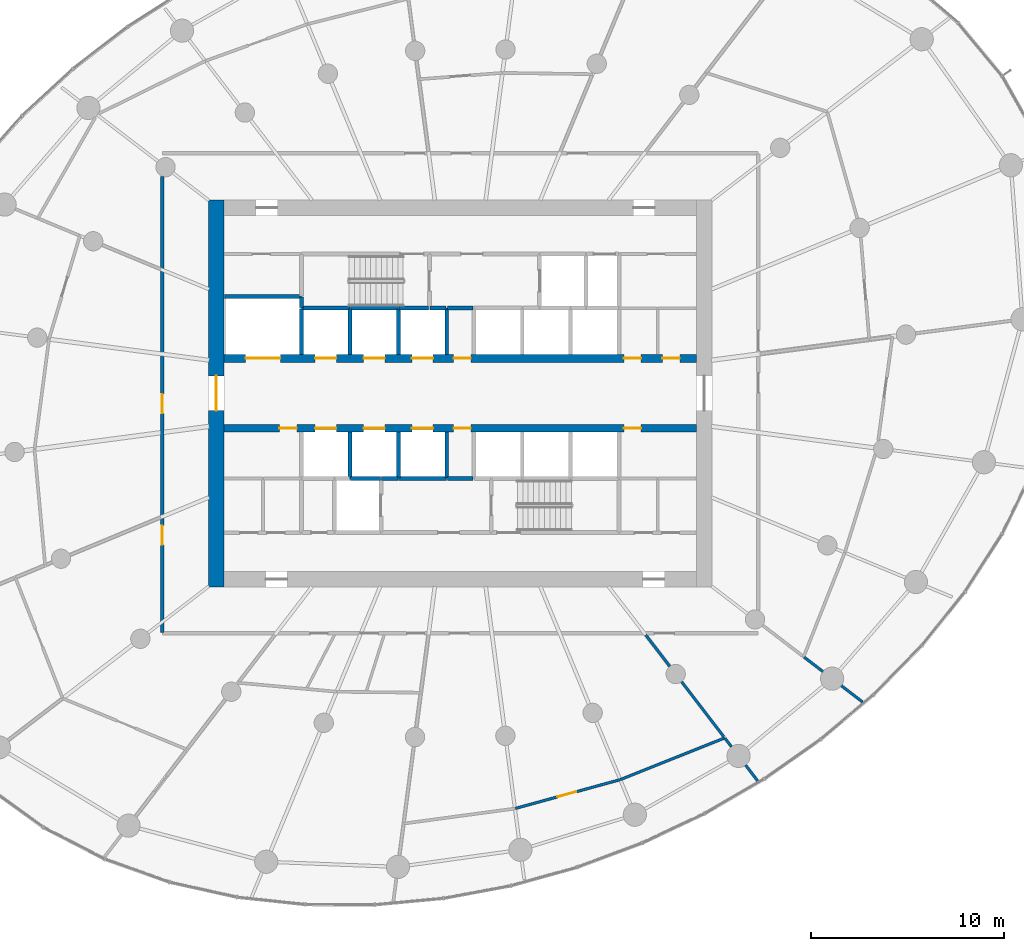
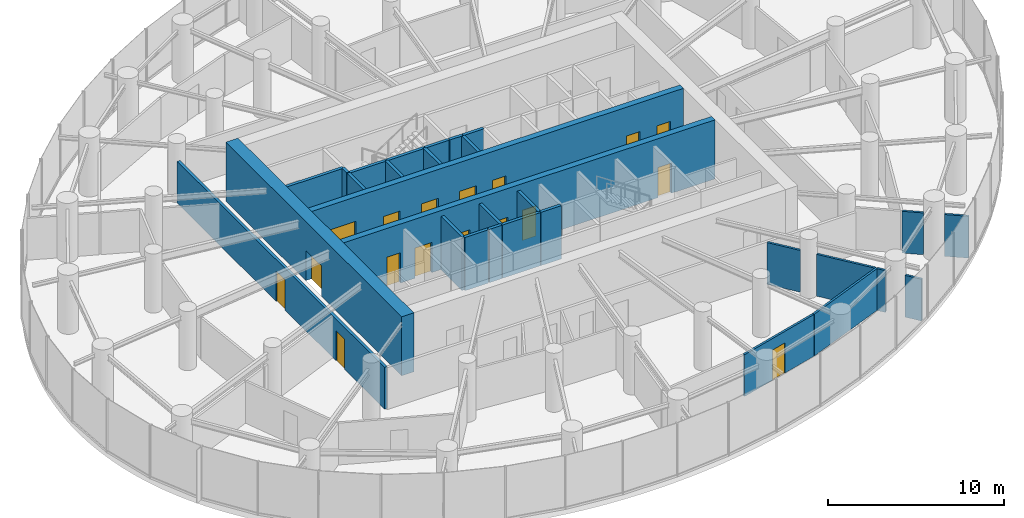
# One storey, part 11 of 17: 30 walls, 17 doors, 17 openings.
"""IFC4 building model written with IfcOpenShell, lengths in metres."""

from ifc_helpers import new_model, si_unit, direction, frame, frame_2d, origin, place, context, subcontext, project, spatial, rectangle, extrude, source, transform, mapped, material, layer, layer_set, type_object, element, fill, save


model = new_model("IFC4")

# Units and contexts
model_context = context("Model", 3, precision=1e-05, world=origin(), true_north=direction((0.0, 1.0)))
body_context = subcontext(model_context, "Body", "Model", "MODEL_VIEW")
ifc_project = project(units=[si_unit("LENGTHUNIT", "METRE"), si_unit("AREAUNIT", "SQUARE_METRE"), si_unit("VOLUMEUNIT", "CUBIC_METRE"), si_unit("PLANEANGLEUNIT", "RADIAN"), si_unit("MASSUNIT", "GRAM", prefix="KILO")], contexts=[model_context])

# Site, building, storey
site_placement = place(None, origin())
site = spatial("IfcSite", under=ifc_project, at=site_placement, CompositionType="ELEMENT")
building_placement = place(site_placement, origin())
building = spatial("IfcBuilding", under=site, at=building_placement, Name="Spindrift Exchange Tower", CompositionType="ELEMENT")
storey_placement = place(building_placement, frame((0.0, 0.0, 92.10009765625)))
storey = spatial("IfcBuildingStorey", under=building, at=storey_placement, Name="L21", CompositionType="ELEMENT", Elevation=92.10009765625)

# Wall, opening, door
ifc_material_1 = material(Name="Concrete 65 MPa", Category="concrete")
ifc_layer_1 = layer(ifc_material_1, 0.800048828125)
ifc_layer_set_1 = layer_set([ifc_layer_1], Name="RC Core Wall 800 Concrete 65 MPa")
wall_type_1 = type_object("IfcWallType", Name="RC Core Wall 800 Concrete 65 MPa", PredefinedType="SHEAR", material=ifc_layer_set_1)
wall_1_placement = place(storey_placement, frame((39.39990234375, 58.0, 0.0), z_axis=(0.0, 0.0, 1.0), x_axis=(0.0, -1.0, 0.0)))
wall_1 = element("IfcWall", 1, at=wall_1_placement, inside=storey, type_object=wall_type_1, Name="Core wall W L21", PredefinedType="SHEAR", context=body_context, shape_type="SweptSolid", body=[
    extrude(rectangle(XDim=20.0, YDim=0.800048828125, at=frame_2d((10.0, 0.0))), origin(), (0.0, 0.0, 1.0), 4.099853515625),
])
opening_1_placement = place(wall_1_placement, frame((9.10009765625, 0.0, 0.0)))
opening_1 = element("IfcOpeningElement", 2, at=opening_1_placement, cuts=wall_1, Name="Opening L21-D1", PredefinedType="OPENING", context=body_context, shape_type="SweptSolid", body=[
    extrude(rectangle(XDim=1.800048828125, YDim=2.10009765625, at=frame_2d((0.89990234375, 1.050048828125))), frame((0.0, 0.409912109375, 0.0), z_axis=(0.0, -1.0, 0.0), x_axis=(1.0, 0.0, 0.0)), (0.0, 0.0, 1.0), 0.820068359375),
])
ifc_material_2 = material(Name="Timber-core fire door", Category="wood")
door_type_1 = type_object("IfcDoorType", Name="DR-LOBBY-1800", OperationType="NOTDEFINED", PredefinedType="DOOR", material=ifc_material_2)
shared_shape_1 = source(origin(), body_context, "Body", "SweptSolid", [
    extrude(rectangle(XDim=1.800048828125, YDim=2.10009765625, at=frame_2d((0.89990234375, 1.050048828125))), frame((0.0, 0.02490234375, 0.0), z_axis=(0.0, -1.0, 0.0), x_axis=(1.0, 0.0, 0.0)), (0.0, 0.0, 1.0), 0.050048828125),
])
door_1_placement = place(opening_1_placement, origin())
door_1 = element("IfcDoor", 3, at=door_1_placement, inside=storey, type_object=door_type_1, Name="L21 Lobby door 1", OperationType="SINGLE_SWING_RIGHT", OverallHeight=2.10009765625, OverallWidth=1.800048828125, PredefinedType="DOOR", context=body_context, shape_type="MappedRepresentation", body=[
    mapped(shared_shape_1, transform((0.0, 0.0, 0.0), scale=1.0)),
])
fill(opening_1, door_1)

# Wall, openings, doors
ifc_layer_2 = layer(ifc_material_1, 0.39990234375)
ifc_layer_set_2 = layer_set([ifc_layer_2], Name="RC Spine Wall 400 Concrete 65 MPa")
wall_type_2 = type_object("IfcWallType", Name="RC Spine Wall 400 Concrete 65 MPa", PredefinedType="SHEAR", material=ifc_layer_set_2)
wall_2_placement = place(storey_placement, frame((39.800048828125, 49.800048828125, 0.0), z_axis=(0.0, 0.0, 1.0), x_axis=(1.0, 0.0, 0.0)))
wall_2 = element("IfcWall", 4, at=wall_2_placement, inside=storey, type_object=wall_type_2, Name="Core spine wall N L21", PredefinedType="SHEAR", context=body_context, shape_type="SweptSolid", body=[
    extrude(rectangle(XDim=24.39990234375, YDim=0.39990234375, at=frame_2d((12.199951171875, 0.0))), origin(), (0.0, 0.0, 1.0), 4.099853515625),
])
opening_2_placement = place(wall_2_placement, frame((4.699951171875, 0.0, 0.0)))
opening_2 = element("IfcOpeningElement", 5, at=opening_2_placement, cuts=wall_2, Name="Opening L21-D3", PredefinedType="OPENING", context=body_context, shape_type="SweptSolid", body=[
    extrude(rectangle(XDim=1.10009765625, YDim=2.10009765625, at=frame_2d((0.550048828125, 1.050048828125))), frame((0.0, 0.2099609375, 0.0), z_axis=(0.0, -1.0, 0.0), x_axis=(1.0, 0.0, 0.0)), (0.0, 0.0, 1.0), 0.419921875),
])
opening_3_placement = place(wall_2_placement, frame((7.199951171875, 0.0, 0.0)))
opening_3 = element("IfcOpeningElement", 6, at=opening_3_placement, cuts=wall_2, Name="Opening L21-D4", PredefinedType="OPENING", context=body_context, shape_type="SweptSolid", body=[
    extrude(rectangle(XDim=1.10009765625, YDim=2.10009765625, at=frame_2d((0.550048828125, 1.050048828125))), frame((0.0, 0.2099609375, 0.0), z_axis=(0.0, -1.0, 0.0), x_axis=(1.0, 0.0, 0.0)), (0.0, 0.0, 1.0), 0.419921875),
])
opening_4_placement = place(wall_2_placement, frame((9.699951171875, 0.0, 0.0)))
opening_4 = element("IfcOpeningElement", 7, at=opening_4_placement, cuts=wall_2, Name="Opening L21-D5", PredefinedType="OPENING", context=body_context, shape_type="SweptSolid", body=[
    extrude(rectangle(XDim=1.10009765625, YDim=2.10009765625, at=frame_2d((0.550048828125, 1.050048828125))), frame((0.0, 0.2099609375, 0.0), z_axis=(0.0, -1.0, 0.0), x_axis=(1.0, 0.0, 0.0)), (0.0, 0.0, 1.0), 0.419921875),
])
opening_5_placement = place(wall_2_placement, frame((1.10009765625, 0.0, 0.0)))
opening_5 = element("IfcOpeningElement", 8, at=opening_5_placement, cuts=wall_2, Name="Opening L21-D12", PredefinedType="OPENING", context=body_context, shape_type="SweptSolid", body=[
    extrude(rectangle(XDim=1.800048828125, YDim=2.39990234375, at=frame_2d((0.89990234375, 1.199951171875))), frame((0.0, 0.2099609375, 0.0), z_axis=(0.0, -1.0, 0.0), x_axis=(1.0, 0.0, 0.0)), (0.0, 0.0, 1.0), 0.419921875),
])
opening_6_placement = place(wall_2_placement, frame((20.64990234375, 0.0, 0.0)))
opening_6 = element("IfcOpeningElement", 9, at=opening_6_placement, cuts=wall_2, Name="Opening L21-D49", PredefinedType="OPENING", context=body_context, shape_type="SweptSolid", body=[
    extrude(rectangle(XDim=0.89990234375, YDim=2.10009765625, at=frame_2d((0.449951171875, 1.050048828125))), frame((0.0, 0.2099609375, 0.0), z_axis=(0.0, -1.0, 0.0), x_axis=(1.0, 0.0, 0.0)), (0.0, 0.0, 1.0), 0.419921875),
])
opening_7_placement = place(wall_2_placement, frame((22.64990234375, 0.0, 0.0)))
opening_7 = element("IfcOpeningElement", 10, at=opening_7_placement, cuts=wall_2, Name="Opening L21-D50", PredefinedType="OPENING", context=body_context, shape_type="SweptSolid", body=[
    extrude(rectangle(XDim=0.89990234375, YDim=2.10009765625, at=frame_2d((0.449951171875, 1.050048828125))), frame((0.0, 0.2099609375, 0.0), z_axis=(0.0, -1.0, 0.0), x_axis=(1.0, 0.0, 0.0)), (0.0, 0.0, 1.0), 0.419921875),
])
opening_8_placement = place(wall_2_placement, frame((11.85009765625, 0.0, 0.0)))
opening_8 = element("IfcOpeningElement", 11, at=opening_8_placement, cuts=wall_2, Name="Opening L21-D55", PredefinedType="OPENING", context=body_context, shape_type="SweptSolid", body=[
    extrude(rectangle(XDim=0.89990234375, YDim=2.10009765625, at=frame_2d((0.449951171875, 1.050048828125))), frame((0.0, 0.2099609375, 0.0), z_axis=(0.0, -1.0, 0.0), x_axis=(1.0, 0.0, 0.0)), (0.0, 0.0, 1.0), 0.419921875),
])
ifc_material_3 = material(Name="Stainless steel landing door", Category="steel")
door_type_2 = type_object("IfcDoorType", Name="DR-LANDING-1100-SL", OperationType="DOUBLE_DOOR_SLIDING", PredefinedType="USERDEFINED", material=ifc_material_3)
shared_shape_2 = source(origin(), body_context, "Body", "SweptSolid", [
    extrude(rectangle(XDim=1.10009765625, YDim=2.10009765625, at=frame_2d((0.550048828125, 1.050048828125))), frame((0.0, 0.02490234375, 0.0), z_axis=(0.0, -1.0, 0.0), x_axis=(1.0, 0.0, 0.0)), (0.0, 0.0, 1.0), 0.050048828125),
])
door_2_placement = place(opening_2_placement, origin())
door_2 = element("IfcDoor", 12, at=door_2_placement, inside=storey, type_object=door_type_2, Name="L21 Lift landing door 3", ObjectType="LANDING DOOR", OperationType="DOUBLE_DOOR_SLIDING", OverallHeight=2.10009765625, OverallWidth=1.10009765625, PredefinedType="USERDEFINED", context=body_context, shape_type="MappedRepresentation", body=[
    mapped(shared_shape_2, transform((0.0, 0.0, 0.0), scale=1.0)),
])
fill(opening_2, door_2)
door_3_placement = place(opening_3_placement, origin())
door_3 = element("IfcDoor", 13, at=door_3_placement, inside=storey, type_object=door_type_2, Name="L21 Lift landing door 4", ObjectType="LANDING DOOR", OperationType="DOUBLE_DOOR_SLIDING", OverallHeight=2.10009765625, OverallWidth=1.10009765625, PredefinedType="USERDEFINED", context=body_context, shape_type="MappedRepresentation", body=[
    mapped(shared_shape_2, transform((0.0, 0.0, 0.0), scale=1.0)),
])
fill(opening_3, door_3)
door_4_placement = place(opening_4_placement, origin())
door_4 = element("IfcDoor", 14, at=door_4_placement, inside=storey, type_object=door_type_2, Name="L21 Lift landing door 5", ObjectType="LANDING DOOR", OperationType="DOUBLE_DOOR_SLIDING", OverallHeight=2.10009765625, OverallWidth=1.10009765625, PredefinedType="USERDEFINED", context=body_context, shape_type="MappedRepresentation", body=[
    mapped(shared_shape_2, transform((0.0, 0.0, 0.0), scale=1.0)),
])
fill(opening_4, door_4)
door_type_3 = type_object("IfcDoorType", Name="DR-LANDING-1800-SL", OperationType="DOUBLE_DOOR_SLIDING", PredefinedType="USERDEFINED", material=ifc_material_3)
shared_shape_3 = source(origin(), body_context, "Body", "SweptSolid", [
    extrude(rectangle(XDim=1.800048828125, YDim=2.39990234375, at=frame_2d((0.89990234375, 1.199951171875))), frame((0.0, 0.02490234375, 0.0), z_axis=(0.0, -1.0, 0.0), x_axis=(1.0, 0.0, 0.0)), (0.0, 0.0, 1.0), 0.050048828125),
])
door_5_placement = place(opening_5_placement, origin())
door_5 = element("IfcDoor", 15, at=door_5_placement, inside=storey, type_object=door_type_3, Name="L21 Lift landing door 12", ObjectType="LANDING DOOR", OperationType="DOUBLE_DOOR_SLIDING", OverallHeight=2.39990234375, OverallWidth=1.800048828125, PredefinedType="USERDEFINED", context=body_context, shape_type="MappedRepresentation", body=[
    mapped(shared_shape_3, transform((0.0, 0.0, 0.0), scale=1.0)),
])
fill(opening_5, door_5)
ifc_material_4 = material(Name="Steel access door", Category="steel")
door_type_4 = type_object("IfcDoorType", Name="DR-RISER-900", OperationType="NOTDEFINED", PredefinedType="DOOR", material=ifc_material_4)
shared_shape_4 = source(origin(), body_context, "Body", "SweptSolid", [
    extrude(rectangle(XDim=0.89990234375, YDim=2.10009765625, at=frame_2d((0.449951171875, 1.050048828125))), frame((0.0, 0.02490234375, 0.0), z_axis=(0.0, -1.0, 0.0), x_axis=(1.0, 0.0, 0.0)), (0.0, 0.0, 1.0), 0.050048828125),
])
door_6_placement = place(opening_6_placement, origin())
door_6 = element("IfcDoor", 16, at=door_6_placement, inside=storey, type_object=door_type_4, Name="L21 Riser door 49", OperationType="SINGLE_SWING_RIGHT", OverallHeight=2.10009765625, OverallWidth=0.89990234375, PredefinedType="DOOR", context=body_context, shape_type="MappedRepresentation", body=[
    mapped(shared_shape_4, transform((0.0, 0.0, 0.0), scale=1.0)),
])
fill(opening_6, door_6)
door_7_placement = place(opening_7_placement, origin())
door_7 = element("IfcDoor", 17, at=door_7_placement, inside=storey, type_object=door_type_4, Name="L21 Riser door 50", OperationType="SINGLE_SWING_LEFT", OverallHeight=2.10009765625, OverallWidth=0.89990234375, PredefinedType="DOOR", context=body_context, shape_type="MappedRepresentation", body=[
    mapped(shared_shape_4, transform((0.0, 0.0, 0.0), scale=1.0)),
])
fill(opening_7, door_7)
door_8_placement = place(opening_8_placement, origin())
door_8 = element("IfcDoor", 18, at=door_8_placement, inside=storey, type_object=door_type_4, Name="L21 Riser door 55", OperationType="SINGLE_SWING_RIGHT", OverallHeight=2.10009765625, OverallWidth=0.89990234375, PredefinedType="DOOR", context=body_context, shape_type="MappedRepresentation", body=[
    mapped(shared_shape_4, transform((0.0, 0.0, 0.0), scale=1.0)),
])
fill(opening_8, door_8)

wall_3_placement = place(storey_placement, frame((39.800048828125, 46.199951171875, 0.0), z_axis=(0.0, 0.0, 1.0), x_axis=(1.0, 0.0, 0.0)))
wall_3 = element("IfcWall", 19, at=wall_3_placement, inside=storey, type_object=wall_type_2, Name="Core spine wall S L21", PredefinedType="SHEAR", context=body_context, shape_type="SweptSolid", body=[
    extrude(rectangle(XDim=24.39990234375, YDim=0.39990234375, at=frame_2d((12.199951171875, 0.0))), origin(), (0.0, 0.0, 1.0), 4.099853515625),
])
opening_9_placement = place(wall_3_placement, frame((4.699951171875, 0.0, 0.0)))
opening_9 = element("IfcOpeningElement", 20, at=opening_9_placement, cuts=wall_3, Name="Opening L21-D6", PredefinedType="OPENING", context=body_context, shape_type="SweptSolid", body=[
    extrude(rectangle(XDim=1.10009765625, YDim=2.10009765625, at=frame_2d((0.550048828125, 1.050048828125))), frame((0.0, 0.2099609375, 0.0), z_axis=(0.0, -1.0, 0.0), x_axis=(1.0, 0.0, 0.0)), (0.0, 0.0, 1.0), 0.419921875),
])
opening_10_placement = place(wall_3_placement, frame((7.199951171875, 0.0, 0.0)))
opening_10 = element("IfcOpeningElement", 21, at=opening_10_placement, cuts=wall_3, Name="Opening L21-D7", PredefinedType="OPENING", context=body_context, shape_type="SweptSolid", body=[
    extrude(rectangle(XDim=1.10009765625, YDim=2.10009765625, at=frame_2d((0.550048828125, 1.050048828125))), frame((0.0, 0.2099609375, 0.0), z_axis=(0.0, -1.0, 0.0), x_axis=(1.0, 0.0, 0.0)), (0.0, 0.0, 1.0), 0.419921875),
])
opening_11_placement = place(wall_3_placement, frame((9.699951171875, 0.0, 0.0)))
opening_11 = element("IfcOpeningElement", 22, at=opening_11_placement, cuts=wall_3, Name="Opening L21-D8", PredefinedType="OPENING", context=body_context, shape_type="SweptSolid", body=[
    extrude(rectangle(XDim=1.10009765625, YDim=2.10009765625, at=frame_2d((0.550048828125, 1.050048828125))), frame((0.0, 0.2099609375, 0.0), z_axis=(0.0, -1.0, 0.0), x_axis=(1.0, 0.0, 0.0)), (0.0, 0.0, 1.0), 0.419921875),
])
opening_12_placement = place(wall_3_placement, frame((20.64990234375, 0.0, 0.0)))
opening_12 = element("IfcOpeningElement", 23, at=opening_12_placement, cuts=wall_3, Name="Opening L21-D48", PredefinedType="OPENING", context=body_context, shape_type="SweptSolid", body=[
    extrude(rectangle(XDim=0.89990234375, YDim=2.10009765625, at=frame_2d((0.449951171875, 1.050048828125))), frame((0.0, 0.2099609375, 0.0), z_axis=(0.0, -1.0, 0.0), x_axis=(1.0, 0.0, 0.0)), (0.0, 0.0, 1.0), 0.419921875),
])
opening_13_placement = place(wall_3_placement, frame((2.85009765625, 0.0, 0.0)))
opening_13 = element("IfcOpeningElement", 24, at=opening_13_placement, cuts=wall_3, Name="Opening L21-D54", PredefinedType="OPENING", context=body_context, shape_type="SweptSolid", body=[
    extrude(rectangle(XDim=0.89990234375, YDim=2.10009765625, at=frame_2d((0.449951171875, 1.050048828125))), frame((0.0, 0.2099609375, 0.0), z_axis=(0.0, -1.0, 0.0), x_axis=(1.0, 0.0, 0.0)), (0.0, 0.0, 1.0), 0.419921875),
])
opening_14_placement = place(wall_3_placement, frame((11.85009765625, 0.0, 0.0)))
opening_14 = element("IfcOpeningElement", 25, at=opening_14_placement, cuts=wall_3, Name="Opening L21-D56", PredefinedType="OPENING", context=body_context, shape_type="SweptSolid", body=[
    extrude(rectangle(XDim=0.89990234375, YDim=2.10009765625, at=frame_2d((0.449951171875, 1.050048828125))), frame((0.0, 0.2099609375, 0.0), z_axis=(0.0, -1.0, 0.0), x_axis=(1.0, 0.0, 0.0)), (0.0, 0.0, 1.0), 0.419921875),
])
door_9_placement = place(opening_9_placement, origin())
door_9 = element("IfcDoor", 26, at=door_9_placement, inside=storey, type_object=door_type_2, Name="L21 Lift landing door 6", ObjectType="LANDING DOOR", OperationType="DOUBLE_DOOR_SLIDING", OverallHeight=2.10009765625, OverallWidth=1.10009765625, PredefinedType="USERDEFINED", context=body_context, shape_type="MappedRepresentation", body=[
    mapped(shared_shape_2, transform((0.0, 0.0, 0.0), scale=1.0)),
])
fill(opening_9, door_9)
door_10_placement = place(opening_10_placement, origin())
door_10 = element("IfcDoor", 27, at=door_10_placement, inside=storey, type_object=door_type_2, Name="L21 Lift landing door 7", ObjectType="LANDING DOOR", OperationType="DOUBLE_DOOR_SLIDING", OverallHeight=2.10009765625, OverallWidth=1.10009765625, PredefinedType="USERDEFINED", context=body_context, shape_type="MappedRepresentation", body=[
    mapped(shared_shape_2, transform((0.0, 0.0, 0.0), scale=1.0)),
])
fill(opening_10, door_10)
door_11_placement = place(opening_11_placement, origin())
door_11 = element("IfcDoor", 28, at=door_11_placement, inside=storey, type_object=door_type_2, Name="L21 Lift landing door 8", ObjectType="LANDING DOOR", OperationType="DOUBLE_DOOR_SLIDING", OverallHeight=2.10009765625, OverallWidth=1.10009765625, PredefinedType="USERDEFINED", context=body_context, shape_type="MappedRepresentation", body=[
    mapped(shared_shape_2, transform((0.0, 0.0, 0.0), scale=1.0)),
])
fill(opening_11, door_11)
door_12_placement = place(opening_12_placement, origin())
door_12 = element("IfcDoor", 29, at=door_12_placement, inside=storey, type_object=door_type_4, Name="L21 Riser door 48", OperationType="SINGLE_SWING_LEFT", OverallHeight=2.10009765625, OverallWidth=0.89990234375, PredefinedType="DOOR", context=body_context, shape_type="MappedRepresentation", body=[
    mapped(shared_shape_4, transform((0.0, 0.0, 0.0), scale=1.0)),
])
fill(opening_12, door_12)
door_13_placement = place(opening_13_placement, origin())
door_13 = element("IfcDoor", 30, at=door_13_placement, inside=storey, type_object=door_type_4, Name="L21 Riser door 54", OperationType="SINGLE_SWING_LEFT", OverallHeight=2.10009765625, OverallWidth=0.89990234375, PredefinedType="DOOR", context=body_context, shape_type="MappedRepresentation", body=[
    mapped(shared_shape_4, transform((0.0, 0.0, 0.0), scale=1.0)),
])
fill(opening_13, door_13)
door_14_placement = place(opening_14_placement, origin())
door_14 = element("IfcDoor", 31, at=door_14_placement, inside=storey, type_object=door_type_4, Name="L21 Riser door 56", OperationType="SINGLE_SWING_LEFT", OverallHeight=2.10009765625, OverallWidth=0.89990234375, PredefinedType="DOOR", context=body_context, shape_type="MappedRepresentation", body=[
    mapped(shared_shape_4, transform((0.0, 0.0, 0.0), scale=1.0)),
])
fill(opening_14, door_14)

# Walls
ifc_material_5 = material(Name="Fire-rated plasterboard partition", Category="gypsum")
ifc_layer_3 = layer(ifc_material_5, 0.139892578125)
ifc_layer_set_3 = layer_set([ifc_layer_3], Name="W-PART-140")
wall_type_3 = type_object("IfcWallType", Name="W-PART-140", PredefinedType="PARTITIONING", material=ifc_layer_set_3)
wall_4_placement = place(storey_placement, frame((71.69921875, 32.88427734375, 0.0), z_axis=(0.0, 0.0, 1.0), x_axis=(0.793327210849, -0.608795480047, 0.0)))
element("IfcWall", 32, at=wall_4_placement, inside=storey, type_object=wall_type_3, Name="L21 Partition wall 126", PredefinedType="PARTITIONING", context=body_context, shape_type="SweptSolid", body=[
    extrude(rectangle(XDim=1.3798828125, YDim=0.139892578125, at=frame_2d((0.68994140625, 0.0))), origin(), (0.0, 0.0, 1.0), 2.89990234375),
])
wall_5_placement = place(storey_placement, frame((69.77099609375, 34.364013671875, 0.0), z_axis=(0.0, 0.0, 1.0), x_axis=(0.793284637014, -0.608850954403, 0.0)))
element("IfcWall", 33, at=wall_5_placement, inside=storey, type_object=wall_type_3, Name="L21 Partition wall 127", PredefinedType="PARTITIONING", context=body_context, shape_type="SweptSolid", body=[
    extrude(rectangle(XDim=1.221923828125, YDim=0.139892578125, at=frame_2d((0.61083984375, 0.0))), origin(), (0.0, 0.0, 1.0), 2.89990234375),
])
wall_6_placement = place(storey_placement, frame((66.75, 28.777587890625, 0.0), z_axis=(0.0, 0.0, 1.0), x_axis=(0.608699102478, -0.793401161231, 0.0)))
element("IfcWall", 34, at=wall_6_placement, inside=storey, type_object=wall_type_3, Name="L21 Partition wall 133", PredefinedType="PARTITIONING", context=body_context, shape_type="SweptSolid", body=[
    extrude(rectangle(XDim=1.01513671875, YDim=0.139892578125, at=frame_2d((0.507568359375, 0.0))), origin(), (0.0, 0.0, 1.0), 2.89990234375),
])
wall_7_placement = place(storey_placement, frame((65.685302734375, 30.164794921875, 0.0), z_axis=(0.0, 0.0, 1.0), x_axis=(0.609076851589, -0.79311120838, 0.0)))
element("IfcWall", 35, at=wall_7_placement, inside=storey, type_object=wall_type_3, Name="L21 Partition wall 137", PredefinedType="PARTITIONING", context=body_context, shape_type="SweptSolid", body=[
    extrude(rectangle(XDim=0.5400390625, YDim=0.139892578125, at=frame_2d((0.27001953125, 0.0))), origin(), (0.0, 0.0, 1.0), 2.89990234375),
])
ifc_layer_4 = layer(ifc_material_5, 0.139892578125)
ifc_layer_set_4 = layer_set([ifc_layer_4], Name="W-PLANT-140")
wall_type_4 = type_object("IfcWallType", Name="W-PLANT-140", PredefinedType="PARTITIONING", material=ifc_layer_set_4)
wall_8_placement = place(storey_placement, frame((60.27099609375, 28.032470703125, 0.0), z_axis=(0.0, 0.0, 1.0), x_axis=(0.928604128406, 0.371071923902, 0.0)))
element("IfcWall", 36, at=wall_8_placement, inside=storey, type_object=wall_type_4, Name="L21 Partition wall 73", PredefinedType="PARTITIONING", context=body_context, shape_type="SweptSolid", body=[
    extrude(rectangle(XDim=5.810791015625, YDim=0.139892578125, at=frame_2d((2.9052734375, 0.0))), origin(), (0.0, 0.0, 1.0), 2.89990234375),
])

# Wall, opening, door
wall_9_placement = place(storey_placement, frame((60.241943359375, 28.0244140625, 0.0), z_axis=(0.0, 0.0, 1.0), x_axis=(-0.964366385499, -0.264570358355, 0.0)))
wall_9 = element("IfcWall", 37, at=wall_9_placement, inside=storey, type_object=wall_type_4, Name="L21 Partition wall 79", PredefinedType="PARTITIONING", context=body_context, shape_type="SweptSolid", body=[
    extrude(rectangle(XDim=5.58642578125, YDim=0.139892578125, at=frame_2d((2.793212890625, 0.0))), origin(), (0.0, 0.0, 1.0), 2.89990234375),
])
opening_15_placement = place(wall_9_placement, frame((2.336669921875, 0.0, 0.0)))
opening_15 = element("IfcOpeningElement", 38, at=opening_15_placement, cuts=wall_9, Name="Opening L21-D28", PredefinedType="OPENING", context=body_context, shape_type="SweptSolid", body=[
    extrude(rectangle(XDim=1.0, YDim=2.10009765625, at=frame_2d((0.5, 1.050048828125))), frame((0.0, 0.079833984375, 0.0), z_axis=(0.0, -1.0, 0.0), x_axis=(1.0, 0.0, 0.0)), (0.0, 0.0, 1.0), 0.159912109375),
])
door_type_5 = type_object("IfcDoorType", Name="DR-ROOM-1000", OperationType="NOTDEFINED", PredefinedType="DOOR", material=ifc_material_2)
shared_shape_5 = source(origin(), body_context, "Body", "SweptSolid", [
    extrude(rectangle(XDim=1.0, YDim=2.10009765625, at=frame_2d((0.5, 1.050048828125))), frame((0.0, 0.02490234375, 0.0), z_axis=(0.0, -1.0, 0.0), x_axis=(1.0, 0.0, 0.0)), (0.0, 0.0, 1.0), 0.050048828125),
])
door_15_placement = place(opening_15_placement, origin())
door_15 = element("IfcDoor", 39, at=door_15_placement, inside=storey, type_object=door_type_5, Name="L21 Door 28", OperationType="SINGLE_SWING_LEFT", OverallHeight=2.10009765625, OverallWidth=1.0, PredefinedType="DOOR", context=body_context, shape_type="MappedRepresentation", body=[
    mapped(shared_shape_5, transform((0.0, 0.0, 0.0), scale=1.0)),
])
fill(opening_15, door_15)

# Walls
wall_10_placement = place(storey_placement, frame((63.44091796875, 33.08984375, 0.0), z_axis=(0.0, 0.0, 1.0), x_axis=(0.608758966835, -0.793355229577, 0.0)))
element("IfcWall", 40, at=wall_10_placement, inside=storey, type_object=wall_type_4, Name="L21 Partition wall 97", PredefinedType="PARTITIONING", context=body_context, shape_type="SweptSolid", body=[
    extrude(rectangle(XDim=3.584228515625, YDim=0.139892578125, at=frame_2d((1.7919921875, 0.0))), origin(), (0.0, 0.0, 1.0), 2.89990234375),
])
wall_11_placement = place(storey_placement, frame((61.583984375, 35.510009765625, 0.0), z_axis=(0.0, 0.0, 1.0), x_axis=(0.608727763541, -0.793379171578, 0.0)))
element("IfcWall", 41, at=wall_11_placement, inside=storey, type_object=wall_type_4, Name="L21 Partition wall 111", PredefinedType="PARTITIONING", context=body_context, shape_type="SweptSolid", body=[
    extrude(rectangle(XDim=2.04150390625, YDim=0.139892578125, at=frame_2d((1.020751953125, 0.0))), origin(), (0.0, 0.0, 1.0), 2.89990234375),
])

# Wall, openings, doors
ifc_layer_5 = layer(ifc_material_5, 0.179931640625)
ifc_layer_set_5 = layer_set([ifc_layer_5], Name="W-PLANT-180")
wall_type_5 = type_object("IfcWallType", Name="W-PLANT-180", PredefinedType="PARTITIONING", material=ifc_layer_set_5)
wall_12_placement = place(storey_placement, frame((36.60009765625, 35.6298828125, 0.0), z_axis=(0.0, 0.0, 1.0), x_axis=(0.0, 1.0, 0.0)))
wall_12 = element("IfcWall", 42, at=wall_12_placement, inside=storey, type_object=wall_type_5, Name="L21 Partition wall 60", PredefinedType="PARTITIONING", context=body_context, shape_type="SweptSolid", body=[
    extrude(rectangle(XDim=23.58251953125, YDim=0.179931640625, at=frame_2d((11.791259765625, 0.0))), origin(), (0.0, 0.0, 1.0), 2.89990234375),
])
opening_16_placement = place(wall_12_placement, frame((11.33251953125, 0.0, 0.0)))
opening_16 = element("IfcOpeningElement", 43, at=opening_16_placement, cuts=wall_12, Name="Opening L21-D40", PredefinedType="OPENING", context=body_context, shape_type="SweptSolid", body=[
    extrude(rectangle(XDim=1.0, YDim=2.10009765625, at=frame_2d((0.5, 1.050048828125))), frame((0.0, 0.099853515625, 0.0), z_axis=(0.0, -1.0, 0.0), x_axis=(1.0, 0.0, 0.0)), (0.0, 0.0, 1.0), 0.199951171875),
])
opening_17_placement = place(wall_12_placement, frame((4.532470703125, 0.0, 0.0)))
opening_17 = element("IfcOpeningElement", 44, at=opening_17_placement, cuts=wall_12, Name="Opening L21-D42", PredefinedType="OPENING", context=body_context, shape_type="SweptSolid", body=[
    extrude(rectangle(XDim=1.0, YDim=2.10009765625, at=frame_2d((0.5, 1.050048828125))), frame((0.0, 0.099853515625, 0.0), z_axis=(0.0, -1.0, 0.0), x_axis=(1.0, 0.0, 0.0)), (0.0, 0.0, 1.0), 0.199951171875),
])
door_16_placement = place(opening_16_placement, origin())
door_16 = element("IfcDoor", 45, at=door_16_placement, inside=storey, type_object=door_type_5, Name="L21 Door 40", OperationType="SINGLE_SWING_LEFT", OverallHeight=2.10009765625, OverallWidth=1.0, PredefinedType="DOOR", context=body_context, shape_type="MappedRepresentation", body=[
    mapped(shared_shape_5, transform((0.0, 0.0, 0.0), scale=1.0)),
])
fill(opening_16, door_16)
door_17_placement = place(opening_17_placement, origin())
door_17 = element("IfcDoor", 46, at=door_17_placement, inside=storey, type_object=door_type_5, Name="L21 Door 42", OperationType="SINGLE_SWING_LEFT", OverallHeight=2.10009765625, OverallWidth=1.0, PredefinedType="DOOR", context=body_context, shape_type="MappedRepresentation", body=[
    mapped(shared_shape_5, transform((0.0, 0.0, 0.0), scale=1.0)),
])
fill(opening_17, door_17)

# Walls
ifc_material_6 = material(Name="Concrete 40 MPa", Category="concrete")
ifc_layer_6 = layer(ifc_material_6, 0.199951171875)
ifc_layer_set_6 = layer_set([ifc_layer_6], Name="W-SHAFT-200")
wall_type_6 = type_object("IfcWallType", Name="W-SHAFT-200", PredefinedType="SOLIDWALL", material=ifc_layer_set_6)
wall_13_placement = place(storey_placement, frame((48.800048828125, 43.60009765625, 0.0), z_axis=(0.0, 0.0, 1.0), x_axis=(1.0, 0.0, 0.0)))
element("IfcWall", 47, at=wall_13_placement, inside=storey, type_object=wall_type_6, Name="L21 Shaft wall 17", PredefinedType="SOLIDWALL", context=body_context, shape_type="SweptSolid", body=[
    extrude(rectangle(XDim=2.5, YDim=0.199951171875, at=frame_2d((1.25, 0.0))), origin(), (0.0, 0.0, 1.0), 3.699951171875),
])
wall_14_placement = place(storey_placement, frame((46.300048828125, 43.60009765625, 0.0), z_axis=(0.0, 0.0, 1.0), x_axis=(0.0, 1.0, 0.0)))
element("IfcWall", 48, at=wall_14_placement, inside=storey, type_object=wall_type_6, Name="L21 Shaft wall 25", PredefinedType="SOLIDWALL", context=body_context, shape_type="SweptSolid", body=[
    extrude(rectangle(XDim=2.389892578125, YDim=0.199951171875, at=frame_2d((1.19482421875, 0.0))), origin(), (0.0, 0.0, 1.0), 3.699951171875),
])
for number, where, z_axis, x_axis, name in (
    (49, (48.800048828125, 43.6298828125, 0.0), (0.0, 0.0, 1.0), (0.0, 1.0, 0.0), "L21 Shaft wall 27"),
    (50, (51.300048828125, 43.6298828125, 0.0), (0.0, 0.0, 1.0), (0.0, 1.0, 0.0), "L21 Shaft wall 29"),
):
    element("IfcWall", number, at=place(storey_placement, frame(where, z_axis=z_axis, x_axis=x_axis)), inside=storey, type_object=wall_type_6, Name=name, PredefinedType="SOLIDWALL", context=body_context, shape_type="SweptSolid", body=[
        extrude(rectangle(XDim=2.360107421875, YDim=0.199951171875, at=frame_2d((1.18017578125, 0.0))), origin(), (0.0, 0.0, 1.0), 3.699951171875),
    ])
wall_15_placement = place(storey_placement, frame((51.300048828125, 50.010009765625, 0.0), z_axis=(0.0, 0.0, 1.0), x_axis=(0.0, 1.0, 0.0)))
element("IfcWall", 51, at=wall_15_placement, inside=storey, type_object=wall_type_6, Name="L21 Shaft wall 30", PredefinedType="SOLIDWALL", context=body_context, shape_type="SweptSolid", body=[
    extrude(rectangle(XDim=2.389892578125, YDim=0.199951171875, at=frame_2d((1.19482421875, 0.0))), origin(), (0.0, 0.0, 1.0), 3.699951171875),
])
wall_16_placement = place(storey_placement, frame((46.330078125, 43.60009765625, 0.0), z_axis=(0.0, 0.0, 1.0), x_axis=(1.0, 0.0, 0.0)))
element("IfcWall", 52, at=wall_16_placement, inside=storey, type_object=wall_type_6, Name="L21 Shaft wall 44", PredefinedType="SOLIDWALL", context=body_context, shape_type="SweptSolid", body=[
    extrude(rectangle(XDim=1.5400390625, YDim=0.199951171875, at=frame_2d((0.77001953125, 0.0))), origin(), (0.0, 0.0, 1.0), 3.699951171875),
])
for number, where, z_axis, x_axis, name in (
    (53, (52.669921875, 43.60009765625, 0.0), (0.0, 0.0, 1.0), (-1.0, 0.0, 0.0), "L21 Shaft wall 48"),
    (54, (51.330078125, 52.39990234375, 0.0), (0.0, 0.0, 1.0), (1.0, 0.0, 0.0), "L21 Shaft wall 49"),
):
    element("IfcWall", number, at=place(storey_placement, frame(where, z_axis=z_axis, x_axis=x_axis)), inside=storey, type_object=wall_type_6, Name=name, PredefinedType="SOLIDWALL", context=body_context, shape_type="SweptSolid", body=[
        extrude(rectangle(XDim=1.33984375, YDim=0.199951171875, at=frame_2d((0.669921875, 0.0))), origin(), (0.0, 0.0, 1.0), 3.699951171875),
    ])
wall_17_placement = place(storey_placement, frame((47.929931640625, 43.60009765625, 0.0), z_axis=(0.0, 0.0, 1.0), x_axis=(1.0, 0.0, 0.0)))
element("IfcWall", 55, at=wall_17_placement, inside=storey, type_object=wall_type_6, Name="L21 Shaft wall 50", PredefinedType="SOLIDWALL", context=body_context, shape_type="SweptSolid", body=[
    extrude(rectangle(XDim=0.840087890625, YDim=0.199951171875, at=frame_2d((0.419921875, 0.0))), origin(), (0.0, 0.0, 1.0), 3.699951171875),
])
ifc_layer_7 = layer(ifc_material_6, 0.199951171875)
ifc_layer_set_7 = layer_set([ifc_layer_7], Name="W-SHAFT-200-LB")
wall_type_7 = type_object("IfcWallType", Name="W-SHAFT-200-LB", PredefinedType="SOLIDWALL", material=ifc_layer_set_7)
wall_18_placement = place(storey_placement, frame((43.800048828125, 53.0, 0.0), z_axis=(0.0, 0.0, 1.0), x_axis=(-1.0, 0.0, 0.0)))
element("IfcWall", 56, at=wall_18_placement, inside=storey, type_object=wall_type_7, Name="L21 Shaft wall 5", PredefinedType="SOLIDWALL", context=body_context, shape_type="SweptSolid", body=[
    extrude(rectangle(XDim=3.97998046875, YDim=0.199951171875, at=frame_2d((1.989990234375, 0.0))), origin(), (0.0, 0.0, 1.0), 3.699951171875),
])
wall_19_placement = place(storey_placement, frame((46.300048828125, 52.39990234375, 0.0), z_axis=(0.0, 0.0, 1.0), x_axis=(-1.0, 0.0, 0.0)))
element("IfcWall", 57, at=wall_19_placement, inside=storey, type_object=wall_type_7, Name="L21 Shaft wall 15", PredefinedType="SOLIDWALL", context=body_context, shape_type="SweptSolid", body=[
    extrude(rectangle(XDim=2.5, YDim=0.199951171875, at=frame_2d((1.25, 0.0))), origin(), (0.0, 0.0, 1.0), 3.699951171875),
])
wall_20_placement = place(storey_placement, frame((48.800048828125, 52.39990234375, 0.0), z_axis=(0.0, 0.0, 1.0), x_axis=(-1.0, 0.0, 0.0)))
element("IfcWall", 58, at=wall_20_placement, inside=storey, type_object=wall_type_7, Name="L21 Shaft wall 16", PredefinedType="SOLIDWALL", context=body_context, shape_type="SweptSolid", body=[
    extrude(rectangle(XDim=2.469970703125, YDim=0.199951171875, at=frame_2d((1.23486328125, 0.0))), origin(), (0.0, 0.0, 1.0), 3.699951171875),
])
for number, where, z_axis, x_axis, name in (
    (59, (43.800048828125, 52.3701171875, 0.0), (0.0, 0.0, 1.0), (0.0, -1.0, 0.0), "L21 Shaft wall 24"),
    (60, (46.300048828125, 50.010009765625, 0.0), (0.0, 0.0, 1.0), (0.0, 1.0, 0.0), "L21 Shaft wall 26"),
    (61, (48.800048828125, 50.010009765625, 0.0), (0.0, 0.0, 1.0), (0.0, 1.0, 0.0), "L21 Shaft wall 28"),
):
    element("IfcWall", number, at=place(storey_placement, frame(where, z_axis=z_axis, x_axis=x_axis)), inside=storey, type_object=wall_type_7, Name=name, PredefinedType="SOLIDWALL", context=body_context, shape_type="SweptSolid", body=[
        extrude(rectangle(XDim=2.360107421875, YDim=0.199951171875, at=frame_2d((1.18017578125, 0.0))), origin(), (0.0, 0.0, 1.0), 3.699951171875),
    ])
wall_21_placement = place(storey_placement, frame((50.3701171875, 52.39990234375, 0.0), z_axis=(0.0, 0.0, 1.0), x_axis=(-1.0, 0.0, 0.0)))
element("IfcWall", 62, at=wall_21_placement, inside=storey, type_object=wall_type_7, Name="L21 Shaft wall 45", PredefinedType="SOLIDWALL", context=body_context, shape_type="SweptSolid", body=[
    extrude(rectangle(XDim=1.5400390625, YDim=0.199951171875, at=frame_2d((0.77001953125, 0.0))), origin(), (0.0, 0.0, 1.0), 3.699951171875),
])
wall_22_placement = place(storey_placement, frame((51.27001953125, 52.39990234375, 0.0), z_axis=(0.0, 0.0, 1.0), x_axis=(-1.0, 0.0, 0.0)))
element("IfcWall", 63, at=wall_22_placement, inside=storey, type_object=wall_type_7, Name="L21 Shaft wall 51", PredefinedType="SOLIDWALL", context=body_context, shape_type="SweptSolid", body=[
    extrude(rectangle(XDim=0.840087890625, YDim=0.199951171875, at=frame_2d((0.419921875, 0.0))), origin(), (0.0, 0.0, 1.0), 3.699951171875),
])
wall_23_placement = place(storey_placement, frame((43.800048828125, 52.429931640625, 0.0), z_axis=(0.0, 0.0, 1.0), x_axis=(0.0, 1.0, 0.0)))
element("IfcWall", 64, at=wall_23_placement, inside=storey, type_object=wall_type_7, Name="L21 Shaft wall 56", PredefinedType="SOLIDWALL", context=body_context, shape_type="SweptSolid", body=[
    extrude(rectangle(XDim=0.5400390625, YDim=0.199951171875, at=frame_2d((0.27001953125, 0.0))), origin(), (0.0, 0.0, 1.0), 3.699951171875),
])

save(model, "model.ifc")
